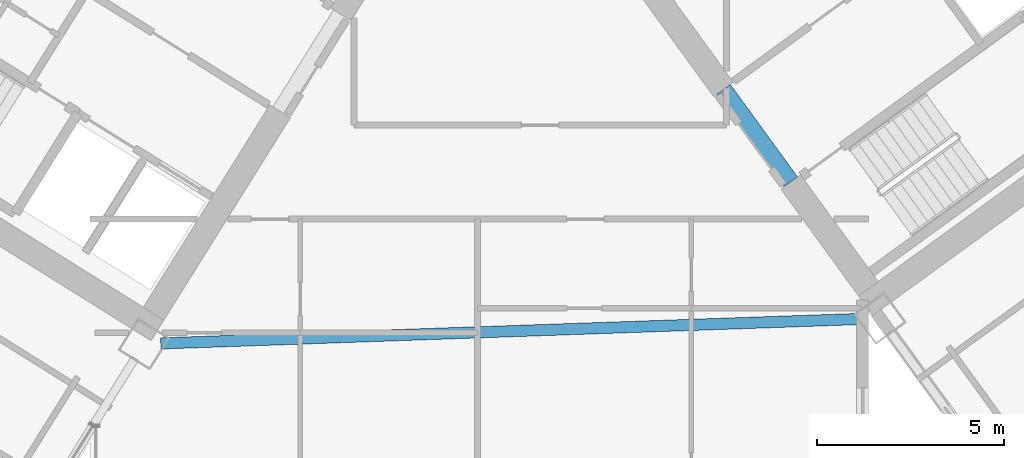
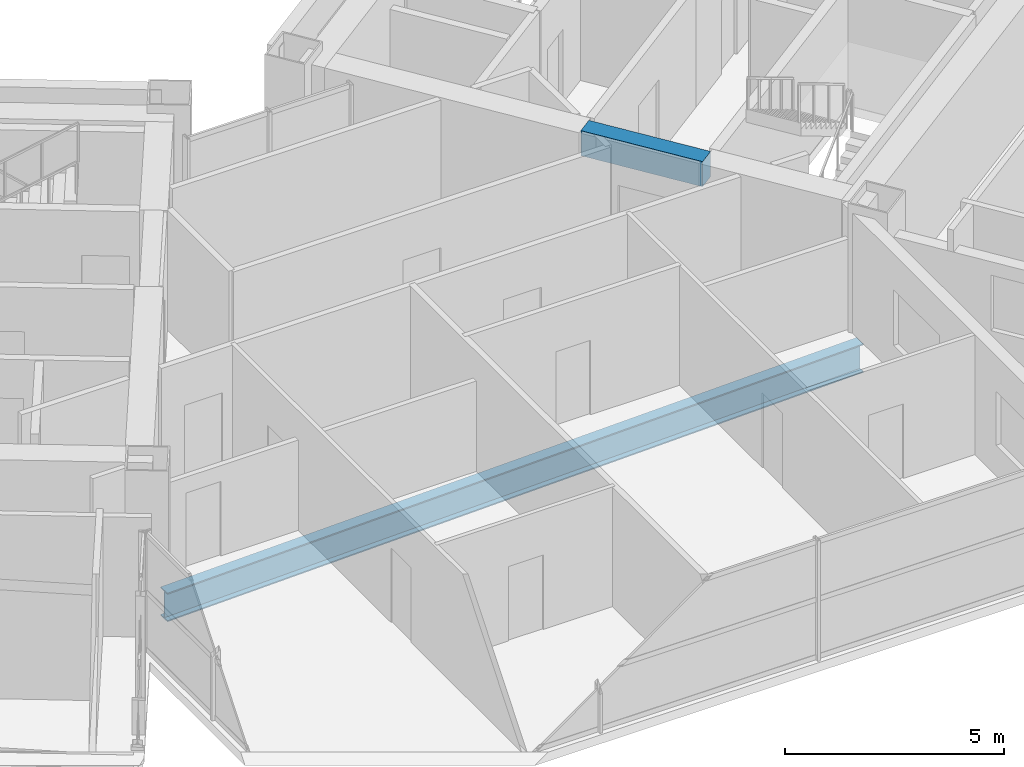
# One storey, part 8 of 24: 2 beams.
"""IFC4 building model written with IfcOpenShell, lengths in metres."""

from ifc_helpers import new_model, si_unit, direction, frame, origin, origin_2d, place, context, subcontext, project, spatial, rectangle, i_section, extrude, source, transform, mapped, material, material_profile, profile_set, type_object, element, save


model = new_model("IFC4")

# Units and contexts
model_context = context("Model", 3, precision=1e-05, world=origin(), true_north=direction((0.0, 1.0)))
body_context = subcontext(model_context, "Body", "Model", "MODEL_VIEW")
ifc_project = project(units=[si_unit("LENGTHUNIT", "METRE"), si_unit("AREAUNIT", "SQUARE_METRE"), si_unit("VOLUMEUNIT", "CUBIC_METRE"), si_unit("PLANEANGLEUNIT", "RADIAN"), si_unit("MASSUNIT", "GRAM", prefix="KILO")], contexts=[model_context])

# Site, building, storey
site_placement = place(None, origin())
site = spatial("IfcSite", under=ifc_project, at=site_placement, CompositionType="ELEMENT")
building_placement = place(site_placement, origin())
building = spatial("IfcBuilding", under=site, at=building_placement, Name="Tlacorven Tower", CompositionType="ELEMENT")
storey_placement = place(building_placement, frame((0.0, 0.0, 45.60009765625)))
storey = spatial("IfcBuildingStorey", under=building, at=storey_placement, Name="L11", CompositionType="ELEMENT", Elevation=45.60009765625)

# Beams
ifc_material_1 = material(Name="Concrete C60/75", Category="concrete")
ifc_material_profile_1 = material_profile(ifc_material_1, rectangle(XDim=0.449951171875, YDim=0.699951171875, at=origin_2d()), Name="RC 450X700")
ifc_profile_set_1 = profile_set([ifc_material_profile_1], Name="Concrete C60/75")
beam_type_1 = type_object("IfcBeamType", Name="BM-LNT-700", PredefinedType="LINTEL", material=ifc_profile_set_1)
shared_shape_1 = source(origin(), body_context, "Body", "SweptSolid", [
    extrude(rectangle(XDim=0.449951171875, YDim=0.699951171875, at=origin_2d()), origin(), (0.0, 0.0, 1.0), 3.050048828125),
])
beam_1_placement = place(storey_placement, frame((50.318359375, 16.416015625, 3.0), z_axis=(-0.587776590479, 0.80902328748, 0.0), x_axis=(-0.80902328748, -0.587776590479, 0.0)))
element("IfcBeam", 1, at=beam_1_placement, inside=storey, type_object=beam_type_1, Name="L11 E core coupling lintel beam E1", PredefinedType="LINTEL", context=body_context, shape_type="MappedRepresentation", body=[
    mapped(shared_shape_1, transform((0.0, 0.0, 0.0), scale=1.0)),
])
ifc_material_2 = material(Name="Steel S355J2", Category="steel")
ifc_material_profile_2 = material_profile(ifc_material_2, i_section(OverallWidth=0.300048828125, OverallDepth=0.800048828125, WebThickness=0.017578125, FlangeThickness=0.032958984375, at=origin_2d()), Name="HEB 800")
ifc_profile_set_2 = profile_set([ifc_material_profile_2], Name="Steel S355J2")
beam_type_2 = type_object("IfcBeamType", Name="BM-POD-800", PredefinedType="BEAM", material=ifc_profile_set_2)
shared_shape_2 = source(origin(), body_context, "Body", "SweptSolid", [
    extrude(i_section(OverallWidth=0.300048828125, OverallDepth=0.800048828125, WebThickness=0.017578125, FlangeThickness=0.032958984375, at=origin_2d()), origin(), (0.0, 0.0, 1.0), 18.771240234375),
])
beam_2_placement = place(storey_placement, frame((33.495849609375, 12.1025390625, -0.650146484375), z_axis=(0.999390514848, 0.034908434954, 0.0), x_axis=(-0.034908434954, 0.999390514848, 0.0)))
element("IfcBeam", 2, at=beam_2_placement, inside=storey, type_object=beam_type_2, Name="L11 Knuckle Link Girder 2", PredefinedType="BEAM", context=body_context, shape_type="MappedRepresentation", body=[
    mapped(shared_shape_2, transform((0.0, 0.0, 0.0), scale=1.0)),
])

save(model, "model.ifc")
